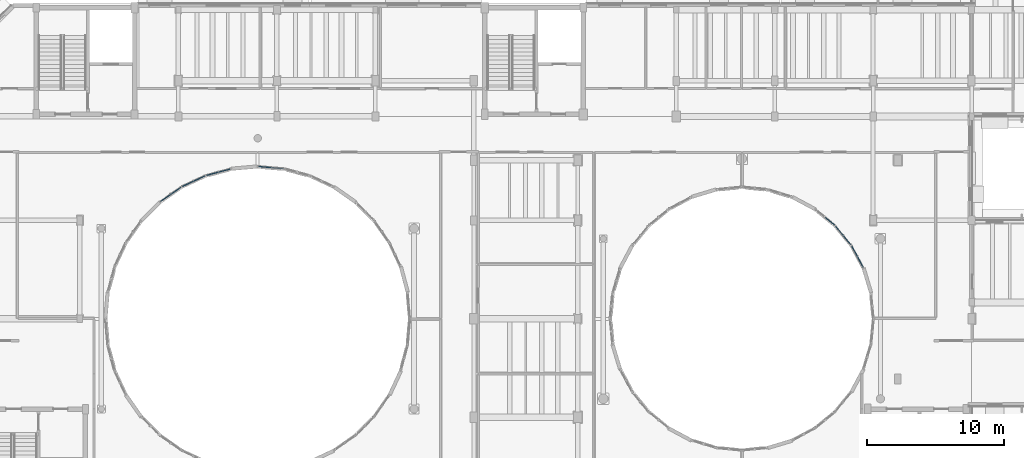
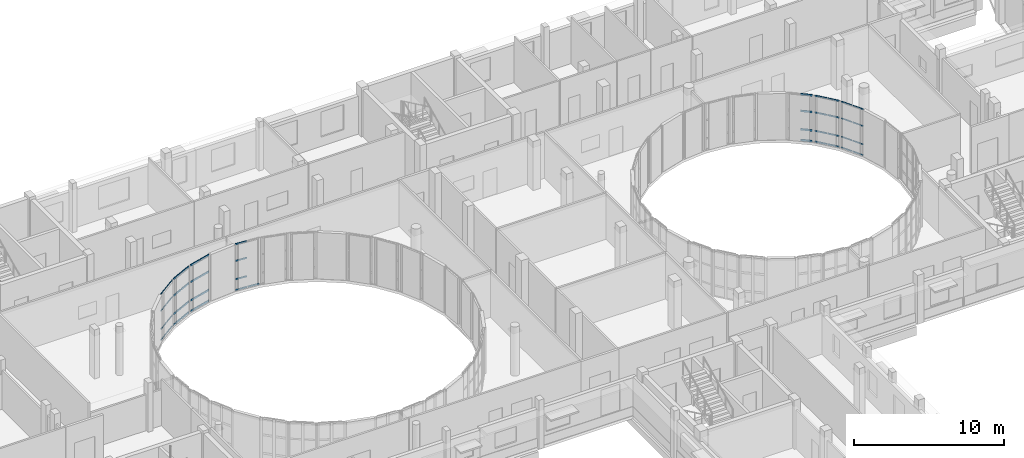
# One storey, part 58 of 105: 49 members, 7 elements without a shape of their own.
"""IFC4 building model written with IfcOpenShell, lengths in metres."""

from ifc_helpers import new_model, si_unit, direction, frame, origin, origin_2d, place, context, subcontext, project, spatial, hollow_rectangle, extrude, material, layer, layer_set, material_profile, profile_set, type_object, element, aggregate, save


model = new_model("IFC4")

# Units and contexts
model_context = context("Model", 3, precision=1e-05, world=origin(), true_north=direction((0.0, 1.0)))
body_context = subcontext(model_context, "Body", "Model", "MODEL_VIEW")
ifc_project = project(units=[si_unit("LENGTHUNIT", "METRE"), si_unit("AREAUNIT", "SQUARE_METRE"), si_unit("VOLUMEUNIT", "CUBIC_METRE"), si_unit("PLANEANGLEUNIT", "RADIAN"), si_unit("MASSUNIT", "GRAM", prefix="KILO")], contexts=[model_context])

# Site, building, storey
site_placement = place(None, origin())
site = spatial("IfcSite", under=ifc_project, at=site_placement, CompositionType="ELEMENT")
building_placement = place(site_placement, origin())
building = spatial("IfcBuilding", under=site, at=building_placement, Name="Kelanivale Promenade Academy", CompositionType="ELEMENT")
storey_placement = place(building_placement, frame((0.0, 0.0, 4.199951171875)))
storey = spatial("IfcBuildingStorey", under=building, at=storey_placement, Name="L01", CompositionType="ELEMENT", Elevation=4.199951171875)

# Curtain wall, members
ifc_material_1 = material(Name="Bronze anodised aluminium and solar-control low-E glass", Category="aluminium")
ifc_layer_1 = layer(ifc_material_1, 0.179931640625)
ifc_layer_set_1 = layer_set([ifc_layer_1], Name="Bronze anodised aluminium and solar-control low-E glass")
curtain_wall_type_1 = type_object("IfcCurtainWallType", Name="CW-05 Curtain Wall 1950mm Module", PredefinedType="USERDEFINED", material=ifc_layer_set_1)
curtain_wall_1_placement = place(storey_placement, origin())
curtain_wall_1 = element("IfcCurtainWall", 1, at=curtain_wall_1_placement, inside=storey, type_object=curtain_wall_type_1, Name="L01 courtyard curtain wall CW-05", ObjectType="UNITISED GLAZING", PredefinedType="USERDEFINED")
ifc_material_2 = material(Name="Bronze anodised aluminium EN AW-6063 T6", Category="aluminium")
ifc_material_profile_1 = material_profile(ifc_material_2, hollow_rectangle(XDim=0.050048828125, YDim=0.10009765625, WallThickness=0.0029296875, at=origin_2d()), Name="ALU 50x100x3.0")
ifc_profile_set_1 = profile_set([ifc_material_profile_1], Name="Bronze anodised aluminium EN AW-6063 T6")
member_type_1 = type_object("IfcMemberType", Name="CWT-01 ALU 50x100x3.0", PredefinedType="USERDEFINED", material=ifc_profile_set_1)
member_1_placement = place(storey_placement, frame((107.664794921875, 60.56689453125, 0.025146484375), z_axis=(-0.471286980873, 0.881979921347, 0.0), x_axis=(-0.881979921347, -0.471286980873, 0.0)))
member_1 = element("IfcMember", 2, at=member_1_placement, type_object=member_type_1, Name="CW-05 transom 1.1", ObjectType="TRANSOM", PredefinedType="USERDEFINED", context=body_context, shape_type="SweptSolid", body=[
    extrude(hollow_rectangle(XDim=0.050048828125, YDim=0.10009765625, WallThickness=0.0029296875, at=origin_2d()), origin(), (0.0, 0.0, 1.0), 0.833984375),
])
member_2_placement = place(storey_placement, frame((107.664794921875, 60.56689453125, 0.900146484375), z_axis=(-0.471286980873, 0.881979921347, 0.0), x_axis=(-0.881979921347, -0.471286980873, 0.0)))
member_2 = element("IfcMember", 3, at=member_2_placement, type_object=member_type_1, Name="CW-05 transom 1.2", ObjectType="TRANSOM", PredefinedType="USERDEFINED", context=body_context, shape_type="SweptSolid", body=[
    extrude(hollow_rectangle(XDim=0.050048828125, YDim=0.10009765625, WallThickness=0.0029296875, at=origin_2d()), origin(), (0.0, 0.0, 1.0), 0.833984375),
])
member_3_placement = place(storey_placement, frame((107.664794921875, 60.56689453125, 2.400146484375), z_axis=(-0.471286980873, 0.881979921347, 0.0), x_axis=(-0.881979921347, -0.471286980873, 0.0)))
member_3 = element("IfcMember", 4, at=member_3_placement, type_object=member_type_1, Name="CW-05 transom 1.3", ObjectType="TRANSOM", PredefinedType="USERDEFINED", context=body_context, shape_type="SweptSolid", body=[
    extrude(hollow_rectangle(XDim=0.050048828125, YDim=0.10009765625, WallThickness=0.0029296875, at=origin_2d()), origin(), (0.0, 0.0, 1.0), 0.833984375),
])
member_4_placement = place(storey_placement, frame((107.664794921875, 60.56689453125, 3.755126953125), z_axis=(-0.471286980873, 0.881979921347, 0.0), x_axis=(-0.881979921347, -0.471286980873, 0.0)))
member_4 = element("IfcMember", 5, at=member_4_placement, type_object=member_type_1, Name="CW-05 transom 1.4", ObjectType="TRANSOM", PredefinedType="USERDEFINED", context=body_context, shape_type="SweptSolid", body=[
    extrude(hollow_rectangle(XDim=0.050048828125, YDim=0.10009765625, WallThickness=0.0029296875, at=origin_2d()), origin(), (0.0, 0.0, 1.0), 0.833984375),
])
member_5_placement = place(storey_placement, frame((107.243408203125, 61.35546875, 0.025146484375), z_axis=(-0.471286980873, 0.881979921347, 0.0), x_axis=(-0.881979921347, -0.471286980873, 0.0)))
member_5 = element("IfcMember", 6, at=member_5_placement, type_object=member_type_1, Name="CW-05 transom 2.1", ObjectType="TRANSOM", PredefinedType="USERDEFINED", context=body_context, shape_type="SweptSolid", body=[
    extrude(hollow_rectangle(XDim=0.050048828125, YDim=0.10009765625, WallThickness=0.0029296875, at=origin_2d()), origin(), (0.0, 0.0, 1.0), 0.833984375),
])
member_6_placement = place(storey_placement, frame((107.243408203125, 61.35546875, 0.900146484375), z_axis=(-0.471286980873, 0.881979921347, 0.0), x_axis=(-0.881979921347, -0.471286980873, 0.0)))
member_6 = element("IfcMember", 7, at=member_6_placement, type_object=member_type_1, Name="CW-05 transom 2.2", ObjectType="TRANSOM", PredefinedType="USERDEFINED", context=body_context, shape_type="SweptSolid", body=[
    extrude(hollow_rectangle(XDim=0.050048828125, YDim=0.10009765625, WallThickness=0.0029296875, at=origin_2d()), origin(), (0.0, 0.0, 1.0), 0.833984375),
])
member_7_placement = place(storey_placement, frame((107.243408203125, 61.35546875, 2.400146484375), z_axis=(-0.471286980873, 0.881979921347, 0.0), x_axis=(-0.881979921347, -0.471286980873, 0.0)))
member_7 = element("IfcMember", 8, at=member_7_placement, type_object=member_type_1, Name="CW-05 transom 2.3", ObjectType="TRANSOM", PredefinedType="USERDEFINED", context=body_context, shape_type="SweptSolid", body=[
    extrude(hollow_rectangle(XDim=0.050048828125, YDim=0.10009765625, WallThickness=0.0029296875, at=origin_2d()), origin(), (0.0, 0.0, 1.0), 0.833984375),
])
member_8_placement = place(storey_placement, frame((107.243408203125, 61.35546875, 3.755126953125), z_axis=(-0.471286980873, 0.881979921347, 0.0), x_axis=(-0.881979921347, -0.471286980873, 0.0)))
member_8 = element("IfcMember", 9, at=member_8_placement, type_object=member_type_1, Name="CW-05 transom 2.4", ObjectType="TRANSOM", PredefinedType="USERDEFINED", context=body_context, shape_type="SweptSolid", body=[
    extrude(hollow_rectangle(XDim=0.050048828125, YDim=0.10009765625, WallThickness=0.0029296875, at=origin_2d()), origin(), (0.0, 0.0, 1.0), 0.833984375),
])
aggregate(curtain_wall_1, [member_1, member_2, member_3, member_4, member_5, member_6, member_7, member_8])

ifc_layer_2 = layer(ifc_material_1, 0.169921875)
ifc_layer_set_2 = layer_set([ifc_layer_2], Name="Bronze anodised aluminium and solar-control low-E glass")
curtain_wall_type_2 = type_object("IfcCurtainWallType", Name="CW-13 Curtain Wall 1350mm Module", PredefinedType="USERDEFINED", material=ifc_layer_set_2)
curtain_wall_2_placement = place(storey_placement, origin())
curtain_wall_2 = element("IfcCurtainWall", 10, at=curtain_wall_2_placement, inside=storey, type_object=curtain_wall_type_2, Name="L01 courtyard curtain wall CW-13", ObjectType="COURTYARD SCREEN GLAZING", PredefinedType="USERDEFINED")
member_9_placement = place(storey_placement, frame((57.770751953125, 66.406494140625, 0.025146484375), z_axis=(-0.819231920519, -0.573462344363, 0.0), x_axis=(0.573462344363, -0.819231920519, 0.0)))
member_9 = element("IfcMember", 11, at=member_9_placement, type_object=member_type_1, Name="CW-13 transom 1.1", ObjectType="TRANSOM", PredefinedType="USERDEFINED", context=body_context, shape_type="SweptSolid", body=[
    extrude(hollow_rectangle(XDim=0.050048828125, YDim=0.10009765625, WallThickness=0.0029296875, at=origin_2d()), origin(), (0.0, 0.0, 1.0), 0.861328125),
])
member_10_placement = place(storey_placement, frame((57.770751953125, 66.406494140625, 0.900146484375), z_axis=(-0.819231920519, -0.573462344363, 0.0), x_axis=(0.573462344363, -0.819231920519, 0.0)))
member_10 = element("IfcMember", 12, at=member_10_placement, type_object=member_type_1, Name="CW-13 transom 1.2", ObjectType="TRANSOM", PredefinedType="USERDEFINED", context=body_context, shape_type="SweptSolid", body=[
    extrude(hollow_rectangle(XDim=0.050048828125, YDim=0.10009765625, WallThickness=0.0029296875, at=origin_2d()), origin(), (0.0, 0.0, 1.0), 0.861328125),
])
member_11_placement = place(storey_placement, frame((57.770751953125, 66.406494140625, 2.400146484375), z_axis=(-0.819231920519, -0.573462344363, 0.0), x_axis=(0.573462344363, -0.819231920519, 0.0)))
member_11 = element("IfcMember", 13, at=member_11_placement, type_object=member_type_1, Name="CW-13 transom 1.3", ObjectType="TRANSOM", PredefinedType="USERDEFINED", context=body_context, shape_type="SweptSolid", body=[
    extrude(hollow_rectangle(XDim=0.050048828125, YDim=0.10009765625, WallThickness=0.0029296875, at=origin_2d()), origin(), (0.0, 0.0, 1.0), 0.861328125),
])
member_12_placement = place(storey_placement, frame((57.770751953125, 66.406494140625, 3.755126953125), z_axis=(-0.819231920519, -0.573462344363, 0.0), x_axis=(0.573462344363, -0.819231920519, 0.0)))
member_12 = element("IfcMember", 14, at=member_12_placement, type_object=member_type_1, Name="CW-13 transom 1.4", ObjectType="TRANSOM", PredefinedType="USERDEFINED", context=body_context, shape_type="SweptSolid", body=[
    extrude(hollow_rectangle(XDim=0.050048828125, YDim=0.10009765625, WallThickness=0.0029296875, at=origin_2d()), origin(), (0.0, 0.0, 1.0), 0.861328125),
])
member_13_placement = place(storey_placement, frame((57.015869140625, 65.87841796875, 0.025146484375), z_axis=(-0.819325110144, -0.573329193297, 0.0), x_axis=(0.573329193297, -0.819325110144, 0.0)))
member_13 = element("IfcMember", 15, at=member_13_placement, type_object=member_type_1, Name="CW-13 transom 2.1", ObjectType="TRANSOM", PredefinedType="USERDEFINED", context=body_context, shape_type="SweptSolid", body=[
    extrude(hollow_rectangle(XDim=0.050048828125, YDim=0.10009765625, WallThickness=0.0029296875, at=origin_2d()), origin(), (0.0, 0.0, 1.0), 0.861572265625),
])
member_14_placement = place(storey_placement, frame((57.015869140625, 65.87841796875, 0.900146484375), z_axis=(-0.819325110144, -0.573329193297, 0.0), x_axis=(0.573329193297, -0.819325110144, 0.0)))
member_14 = element("IfcMember", 16, at=member_14_placement, type_object=member_type_1, Name="CW-13 transom 2.2", ObjectType="TRANSOM", PredefinedType="USERDEFINED", context=body_context, shape_type="SweptSolid", body=[
    extrude(hollow_rectangle(XDim=0.050048828125, YDim=0.10009765625, WallThickness=0.0029296875, at=origin_2d()), origin(), (0.0, 0.0, 1.0), 0.861572265625),
])
member_15_placement = place(storey_placement, frame((57.015869140625, 65.87841796875, 2.400146484375), z_axis=(-0.819325110144, -0.573329193297, 0.0), x_axis=(0.573329193297, -0.819325110144, 0.0)))
member_15 = element("IfcMember", 17, at=member_15_placement, type_object=member_type_1, Name="CW-13 transom 2.3", ObjectType="TRANSOM", PredefinedType="USERDEFINED", context=body_context, shape_type="SweptSolid", body=[
    extrude(hollow_rectangle(XDim=0.050048828125, YDim=0.10009765625, WallThickness=0.0029296875, at=origin_2d()), origin(), (0.0, 0.0, 1.0), 0.861572265625),
])
member_16_placement = place(storey_placement, frame((57.015869140625, 65.87841796875, 3.755126953125), z_axis=(-0.819325110144, -0.573329193297, 0.0), x_axis=(0.573329193297, -0.819325110144, 0.0)))
member_16 = element("IfcMember", 18, at=member_16_placement, type_object=member_type_1, Name="CW-13 transom 2.4", ObjectType="TRANSOM", PredefinedType="USERDEFINED", context=body_context, shape_type="SweptSolid", body=[
    extrude(hollow_rectangle(XDim=0.050048828125, YDim=0.10009765625, WallThickness=0.0029296875, at=origin_2d()), origin(), (0.0, 0.0, 1.0), 0.861572265625),
])
aggregate(curtain_wall_2, [member_9, member_10, member_11, member_12, member_13, member_14, member_15, member_16])

ifc_layer_3 = layer(ifc_material_1, 0.159912109375)
ifc_layer_set_3 = layer_set([ifc_layer_3], Name="Bronze anodised aluminium and solar-control low-E glass")
curtain_wall_type_3 = type_object("IfcCurtainWallType", Name="CW-06 Curtain Wall 1200mm Module", PredefinedType="USERDEFINED", material=ifc_layer_set_3)
curtain_wall_3_placement = place(storey_placement, origin())
curtain_wall_3 = element("IfcCurtainWall", 19, at=curtain_wall_3_placement, inside=storey, type_object=curtain_wall_type_3, Name="L01 courtyard curtain wall CW-06", ObjectType="UNITISED GLAZING", PredefinedType="USERDEFINED")
ifc_material_profile_2 = material_profile(ifc_material_2, hollow_rectangle(XDim=0.050048828125, YDim=0.1201171875, WallThickness=0.0029296875, at=origin_2d()), Name="ALU 50x120x3.0")
ifc_profile_set_2 = profile_set([ifc_material_profile_2], Name="Bronze anodised aluminium EN AW-6063 T6")
member_type_2 = type_object("IfcMemberType", Name="CWT-02 ALU 50x120x3.0", PredefinedType="USERDEFINED", material=ifc_profile_set_2)
member_17_placement = place(storey_placement, frame((106.76904296875, 62.21337890625, 0.025146484375), z_axis=(-0.634169827677, 0.773193785324, 0.0), x_axis=(-0.773193785324, -0.634169827677, 0.0)))
member_17 = element("IfcMember", 20, at=member_17_placement, type_object=member_type_2, Name="CW-06 transom 1.1", ObjectType="TRANSOM", PredefinedType="USERDEFINED", context=body_context, shape_type="SweptSolid", body=[
    extrude(hollow_rectangle(XDim=0.050048828125, YDim=0.1201171875, WallThickness=0.0029296875, at=origin_2d()), origin(), (0.0, 0.0, 1.0), 0.841064453125),
])
member_18_placement = place(storey_placement, frame((106.76904296875, 62.21337890625, 0.900146484375), z_axis=(-0.634169827677, 0.773193785324, 0.0), x_axis=(-0.773193785324, -0.634169827677, 0.0)))
member_18 = element("IfcMember", 21, at=member_18_placement, type_object=member_type_2, Name="CW-06 transom 1.2", ObjectType="TRANSOM", PredefinedType="USERDEFINED", context=body_context, shape_type="SweptSolid", body=[
    extrude(hollow_rectangle(XDim=0.050048828125, YDim=0.1201171875, WallThickness=0.0029296875, at=origin_2d()), origin(), (0.0, 0.0, 1.0), 0.841064453125),
])
member_19_placement = place(storey_placement, frame((106.76904296875, 62.21337890625, 2.400146484375), z_axis=(-0.634169827677, 0.773193785324, 0.0), x_axis=(-0.773193785324, -0.634169827677, 0.0)))
member_19 = element("IfcMember", 22, at=member_19_placement, type_object=member_type_2, Name="CW-06 transom 1.3", ObjectType="TRANSOM", PredefinedType="USERDEFINED", context=body_context, shape_type="SweptSolid", body=[
    extrude(hollow_rectangle(XDim=0.050048828125, YDim=0.1201171875, WallThickness=0.0029296875, at=origin_2d()), origin(), (0.0, 0.0, 1.0), 0.841064453125),
])
member_20_placement = place(storey_placement, frame((106.76904296875, 62.21337890625, 3.755126953125), z_axis=(-0.634169827677, 0.773193785324, 0.0), x_axis=(-0.773193785324, -0.634169827677, 0.0)))
member_20 = element("IfcMember", 23, at=member_20_placement, type_object=member_type_2, Name="CW-06 transom 1.4", ObjectType="TRANSOM", PredefinedType="USERDEFINED", context=body_context, shape_type="SweptSolid", body=[
    extrude(hollow_rectangle(XDim=0.050048828125, YDim=0.1201171875, WallThickness=0.0029296875, at=origin_2d()), origin(), (0.0, 0.0, 1.0), 0.841064453125),
])
member_21_placement = place(storey_placement, frame((106.197509765625, 62.91015625, 0.025146484375), z_axis=(-0.634169827677, 0.773193785324, 0.0), x_axis=(-0.773193785324, -0.634169827677, 0.0)))
member_21 = element("IfcMember", 24, at=member_21_placement, type_object=member_type_2, Name="CW-06 transom 2.1", ObjectType="TRANSOM", PredefinedType="USERDEFINED", context=body_context, shape_type="SweptSolid", body=[
    extrude(hollow_rectangle(XDim=0.050048828125, YDim=0.1201171875, WallThickness=0.0029296875, at=origin_2d()), origin(), (0.0, 0.0, 1.0), 0.841064453125),
])
member_22_placement = place(storey_placement, frame((106.197509765625, 62.91015625, 0.900146484375), z_axis=(-0.634169827677, 0.773193785324, 0.0), x_axis=(-0.773193785324, -0.634169827677, 0.0)))
member_22 = element("IfcMember", 25, at=member_22_placement, type_object=member_type_2, Name="CW-06 transom 2.2", ObjectType="TRANSOM", PredefinedType="USERDEFINED", context=body_context, shape_type="SweptSolid", body=[
    extrude(hollow_rectangle(XDim=0.050048828125, YDim=0.1201171875, WallThickness=0.0029296875, at=origin_2d()), origin(), (0.0, 0.0, 1.0), 0.841064453125),
])
member_23_placement = place(storey_placement, frame((106.197509765625, 62.91015625, 2.400146484375), z_axis=(-0.634169827677, 0.773193785324, 0.0), x_axis=(-0.773193785324, -0.634169827677, 0.0)))
member_23 = element("IfcMember", 26, at=member_23_placement, type_object=member_type_2, Name="CW-06 transom 2.3", ObjectType="TRANSOM", PredefinedType="USERDEFINED", context=body_context, shape_type="SweptSolid", body=[
    extrude(hollow_rectangle(XDim=0.050048828125, YDim=0.1201171875, WallThickness=0.0029296875, at=origin_2d()), origin(), (0.0, 0.0, 1.0), 0.841064453125),
])
member_24_placement = place(storey_placement, frame((106.197509765625, 62.91015625, 3.755126953125), z_axis=(-0.634169827677, 0.773193785324, 0.0), x_axis=(-0.773193785324, -0.634169827677, 0.0)))
member_24 = element("IfcMember", 27, at=member_24_placement, type_object=member_type_2, Name="CW-06 transom 2.4", ObjectType="TRANSOM", PredefinedType="USERDEFINED", context=body_context, shape_type="SweptSolid", body=[
    extrude(hollow_rectangle(XDim=0.050048828125, YDim=0.1201171875, WallThickness=0.0029296875, at=origin_2d()), origin(), (0.0, 0.0, 1.0), 0.841064453125),
])
aggregate(curtain_wall_3, [member_17, member_18, member_19, member_20, member_21, member_22, member_23, member_24])

ifc_layer_4 = layer(ifc_material_1, 0.169921875)
ifc_layer_set_4 = layer_set([ifc_layer_4], Name="Bronze anodised aluminium and solar-control low-E glass")
curtain_wall_type_4 = type_object("IfcCurtainWallType", Name="CW-10 Curtain Wall 1800mm Module", PredefinedType="USERDEFINED", material=ifc_layer_set_4)
curtain_wall_4_placement = place(storey_placement, origin())
curtain_wall_4 = element("IfcCurtainWall", 28, at=curtain_wall_4_placement, inside=storey, type_object=curtain_wall_type_4, Name="L01 courtyard curtain wall CW-10", ObjectType="UNITISED GLAZING", PredefinedType="USERDEFINED")
member_25_placement = place(storey_placement, frame((65.26220703125, 67.77734375, 0.025146484375), z_axis=(-0.996205401814, 0.087033311997, 0.0), x_axis=(-0.087033311997, -0.996205401814, 0.0)))
member_25 = element("IfcMember", 29, at=member_25_placement, type_object=member_type_2, Name="CW-10 transom 1.1", ObjectType="TRANSOM", PredefinedType="USERDEFINED", context=body_context, shape_type="SweptSolid", body=[
    extrude(hollow_rectangle(XDim=0.050048828125, YDim=0.1201171875, WallThickness=0.0029296875, at=origin_2d()), origin(), (0.0, 0.0, 1.0), 0.861083984375),
])
member_26_placement = place(storey_placement, frame((64.3447265625, 67.857666015625, 0.025146484375), z_axis=(-0.996180782713, 0.087314650278, 0.0), x_axis=(-0.087314650278, -0.996180782713, 0.0)))
member_26 = element("IfcMember", 30, at=member_26_placement, type_object=member_type_2, Name="CW-10 transom 2.1", ObjectType="TRANSOM", PredefinedType="USERDEFINED", context=body_context, shape_type="SweptSolid", body=[
    extrude(hollow_rectangle(XDim=0.050048828125, YDim=0.1201171875, WallThickness=0.0029296875, at=origin_2d()), origin(), (0.0, 0.0, 1.0), 0.861083984375),
])
member_27_placement = place(storey_placement, frame((64.3447265625, 67.857666015625, 0.900146484375), z_axis=(-0.996180782713, 0.087314650278, 0.0), x_axis=(-0.087314650278, -0.996180782713, 0.0)))
member_27 = element("IfcMember", 31, at=member_27_placement, type_object=member_type_2, Name="CW-10 transom 2.2", ObjectType="TRANSOM", PredefinedType="USERDEFINED", context=body_context, shape_type="SweptSolid", body=[
    extrude(hollow_rectangle(XDim=0.050048828125, YDim=0.1201171875, WallThickness=0.0029296875, at=origin_2d()), origin(), (0.0, 0.0, 1.0), 0.861083984375),
])
member_28_placement = place(storey_placement, frame((64.3447265625, 67.857666015625, 2.400146484375), z_axis=(-0.996180782713, 0.087314650278, 0.0), x_axis=(-0.087314650278, -0.996180782713, 0.0)))
member_28 = element("IfcMember", 32, at=member_28_placement, type_object=member_type_2, Name="CW-10 transom 2.3", ObjectType="TRANSOM", PredefinedType="USERDEFINED", context=body_context, shape_type="SweptSolid", body=[
    extrude(hollow_rectangle(XDim=0.050048828125, YDim=0.1201171875, WallThickness=0.0029296875, at=origin_2d()), origin(), (0.0, 0.0, 1.0), 0.861083984375),
])
member_29_placement = place(storey_placement, frame((64.3447265625, 67.857666015625, 3.755126953125), z_axis=(-0.996180782713, 0.087314650278, 0.0), x_axis=(-0.087314650278, -0.996180782713, 0.0)))
member_29 = element("IfcMember", 33, at=member_29_placement, type_object=member_type_2, Name="CW-10 transom 2.4", ObjectType="TRANSOM", PredefinedType="USERDEFINED", context=body_context, shape_type="SweptSolid", body=[
    extrude(hollow_rectangle(XDim=0.050048828125, YDim=0.1201171875, WallThickness=0.0029296875, at=origin_2d()), origin(), (0.0, 0.0, 1.0), 0.861083984375),
])
aggregate(curtain_wall_4, [member_25, member_26, member_27, member_28, member_29])

ifc_layer_5 = layer(ifc_material_1, 0.169921875)
ifc_layer_set_5 = layer_set([ifc_layer_5], Name="Bronze anodised aluminium and solar-control low-E glass")
curtain_wall_type_5 = type_object("IfcCurtainWallType", Name="CW-07 Curtain Wall 1350mm Module", PredefinedType="USERDEFINED", material=ifc_layer_set_5)
curtain_wall_5_placement = place(storey_placement, origin())
curtain_wall_5 = element("IfcCurtainWall", 34, at=curtain_wall_5_placement, inside=storey, type_object=curtain_wall_type_5, Name="L01 courtyard curtain wall CW-07", ObjectType="UNITISED GLAZING", PredefinedType="USERDEFINED")
ifc_material_profile_3 = material_profile(ifc_material_2, hollow_rectangle(XDim=0.050048828125, YDim=0.14990234375, WallThickness=0.00341796875, at=origin_2d()), Name="ALU 50x150x3.5")
ifc_profile_set_3 = profile_set([ifc_material_profile_3], Name="Bronze anodised aluminium EN AW-6063 T6")
member_type_3 = type_object("IfcMemberType", Name="CWT-03 ALU 50x150x3.5", PredefinedType="USERDEFINED", material=ifc_profile_set_3)
member_30_placement = place(storey_placement, frame((105.556640625, 63.667236328125, 0.025146484375), z_axis=(-0.773166302346, 0.634203334047, 0.0), x_axis=(-0.634203334047, -0.773166302346, 0.0)))
member_30 = element("IfcMember", 35, at=member_30_placement, type_object=member_type_3, Name="CW-07 transom 1.1", ObjectType="TRANSOM", PredefinedType="USERDEFINED", context=body_context, shape_type="SweptSolid", body=[
    extrude(hollow_rectangle(XDim=0.050048828125, YDim=0.14990234375, WallThickness=0.00341796875, at=origin_2d()), origin(), (0.0, 0.0, 1.0), 0.82568359375),
])
member_31_placement = place(storey_placement, frame((105.556640625, 63.667236328125, 0.900146484375), z_axis=(-0.773166302346, 0.634203334047, 0.0), x_axis=(-0.634203334047, -0.773166302346, 0.0)))
member_31 = element("IfcMember", 36, at=member_31_placement, type_object=member_type_3, Name="CW-07 transom 1.2", ObjectType="TRANSOM", PredefinedType="USERDEFINED", context=body_context, shape_type="SweptSolid", body=[
    extrude(hollow_rectangle(XDim=0.050048828125, YDim=0.14990234375, WallThickness=0.00341796875, at=origin_2d()), origin(), (0.0, 0.0, 1.0), 0.82568359375),
])
member_32_placement = place(storey_placement, frame((105.556640625, 63.667236328125, 2.400146484375), z_axis=(-0.773166302346, 0.634203334047, 0.0), x_axis=(-0.634203334047, -0.773166302346, 0.0)))
member_32 = element("IfcMember", 37, at=member_32_placement, type_object=member_type_3, Name="CW-07 transom 1.3", ObjectType="TRANSOM", PredefinedType="USERDEFINED", context=body_context, shape_type="SweptSolid", body=[
    extrude(hollow_rectangle(XDim=0.050048828125, YDim=0.14990234375, WallThickness=0.00341796875, at=origin_2d()), origin(), (0.0, 0.0, 1.0), 0.82568359375),
])
member_33_placement = place(storey_placement, frame((105.556640625, 63.667236328125, 3.755126953125), z_axis=(-0.773166302346, 0.634203334047, 0.0), x_axis=(-0.634203334047, -0.773166302346, 0.0)))
member_33 = element("IfcMember", 38, at=member_33_placement, type_object=member_type_3, Name="CW-07 transom 1.4", ObjectType="TRANSOM", PredefinedType="USERDEFINED", context=body_context, shape_type="SweptSolid", body=[
    extrude(hollow_rectangle(XDim=0.050048828125, YDim=0.14990234375, WallThickness=0.00341796875, at=origin_2d()), origin(), (0.0, 0.0, 1.0), 0.82568359375),
])
aggregate(curtain_wall_5, [member_30, member_31, member_32, member_33])

ifc_layer_6 = layer(ifc_material_1, 0.179931640625)
ifc_layer_set_6 = layer_set([ifc_layer_6], Name="Bronze anodised aluminium and solar-control low-E glass")
curtain_wall_type_6 = type_object("IfcCurtainWallType", Name="CW-11 Curtain Wall 1950mm Module", PredefinedType="USERDEFINED", material=ifc_layer_set_6)
curtain_wall_6_placement = place(storey_placement, origin())
curtain_wall_6 = element("IfcCurtainWall", 39, at=curtain_wall_6_placement, inside=storey, type_object=curtain_wall_type_6, Name="L01 courtyard curtain wall CW-11", ObjectType="UNITISED GLAZING", PredefinedType="USERDEFINED")
member_34_placement = place(storey_placement, frame((61.377197265625, 67.747314453125, 0.025146484375), z_axis=(-0.965935288552, -0.258783728875, 0.0), x_axis=(0.258783728875, -0.965935288552, 0.0)))
member_34 = element("IfcMember", 40, at=member_34_placement, type_object=member_type_3, Name="CW-11 transom 1.1", ObjectType="TRANSOM", PredefinedType="USERDEFINED", context=body_context, shape_type="SweptSolid", body=[
    extrude(hollow_rectangle(XDim=0.050048828125, YDim=0.14990234375, WallThickness=0.00341796875, at=origin_2d()), origin(), (0.0, 0.0, 1.0), 0.853759765625),
])
member_35_placement = place(storey_placement, frame((61.377197265625, 67.747314453125, 0.900146484375), z_axis=(-0.965935288552, -0.258783728875, 0.0), x_axis=(0.258783728875, -0.965935288552, 0.0)))
member_35 = element("IfcMember", 41, at=member_35_placement, type_object=member_type_3, Name="CW-11 transom 1.2", ObjectType="TRANSOM", PredefinedType="USERDEFINED", context=body_context, shape_type="SweptSolid", body=[
    extrude(hollow_rectangle(XDim=0.050048828125, YDim=0.14990234375, WallThickness=0.00341796875, at=origin_2d()), origin(), (0.0, 0.0, 1.0), 0.853759765625),
])
member_36_placement = place(storey_placement, frame((61.377197265625, 67.747314453125, 2.400146484375), z_axis=(-0.965935288552, -0.258783728875, 0.0), x_axis=(0.258783728875, -0.965935288552, 0.0)))
member_36 = element("IfcMember", 42, at=member_36_placement, type_object=member_type_3, Name="CW-11 transom 1.3", ObjectType="TRANSOM", PredefinedType="USERDEFINED", context=body_context, shape_type="SweptSolid", body=[
    extrude(hollow_rectangle(XDim=0.050048828125, YDim=0.14990234375, WallThickness=0.00341796875, at=origin_2d()), origin(), (0.0, 0.0, 1.0), 0.853759765625),
])
member_37_placement = place(storey_placement, frame((61.377197265625, 67.747314453125, 3.755126953125), z_axis=(-0.965935288552, -0.258783728875, 0.0), x_axis=(0.258783728875, -0.965935288552, 0.0)))
member_37 = element("IfcMember", 43, at=member_37_placement, type_object=member_type_3, Name="CW-11 transom 1.4", ObjectType="TRANSOM", PredefinedType="USERDEFINED", context=body_context, shape_type="SweptSolid", body=[
    extrude(hollow_rectangle(XDim=0.050048828125, YDim=0.14990234375, WallThickness=0.00341796875, at=origin_2d()), origin(), (0.0, 0.0, 1.0), 0.853759765625),
])
member_38_placement = place(storey_placement, frame((60.489501953125, 67.509521484375, 0.025146484375), z_axis=(-0.966006735151, -0.258516900111, 0.0), x_axis=(0.258516900111, -0.966006735151, 0.0)))
member_38 = element("IfcMember", 44, at=member_38_placement, type_object=member_type_3, Name="CW-11 transom 2.1", ObjectType="TRANSOM", PredefinedType="USERDEFINED", context=body_context, shape_type="SweptSolid", body=[
    extrude(hollow_rectangle(XDim=0.050048828125, YDim=0.14990234375, WallThickness=0.00341796875, at=origin_2d()), origin(), (0.0, 0.0, 1.0), 0.853759765625),
])
member_39_placement = place(storey_placement, frame((60.489501953125, 67.509521484375, 0.900146484375), z_axis=(-0.966006735151, -0.258516900111, 0.0), x_axis=(0.258516900111, -0.966006735151, 0.0)))
member_39 = element("IfcMember", 45, at=member_39_placement, type_object=member_type_3, Name="CW-11 transom 2.2", ObjectType="TRANSOM", PredefinedType="USERDEFINED", context=body_context, shape_type="SweptSolid", body=[
    extrude(hollow_rectangle(XDim=0.050048828125, YDim=0.14990234375, WallThickness=0.00341796875, at=origin_2d()), origin(), (0.0, 0.0, 1.0), 0.853759765625),
])
member_40_placement = place(storey_placement, frame((60.489501953125, 67.509521484375, 2.400146484375), z_axis=(-0.966006735151, -0.258516900111, 0.0), x_axis=(0.258516900111, -0.966006735151, 0.0)))
member_40 = element("IfcMember", 46, at=member_40_placement, type_object=member_type_3, Name="CW-11 transom 2.3", ObjectType="TRANSOM", PredefinedType="USERDEFINED", context=body_context, shape_type="SweptSolid", body=[
    extrude(hollow_rectangle(XDim=0.050048828125, YDim=0.14990234375, WallThickness=0.00341796875, at=origin_2d()), origin(), (0.0, 0.0, 1.0), 0.853759765625),
])
member_41_placement = place(storey_placement, frame((60.489501953125, 67.509521484375, 3.755126953125), z_axis=(-0.966006735151, -0.258516900111, 0.0), x_axis=(0.258516900111, -0.966006735151, 0.0)))
member_41 = element("IfcMember", 47, at=member_41_placement, type_object=member_type_3, Name="CW-11 transom 2.4", ObjectType="TRANSOM", PredefinedType="USERDEFINED", context=body_context, shape_type="SweptSolid", body=[
    extrude(hollow_rectangle(XDim=0.050048828125, YDim=0.14990234375, WallThickness=0.00341796875, at=origin_2d()), origin(), (0.0, 0.0, 1.0), 0.853759765625),
])
aggregate(curtain_wall_6, [member_34, member_35, member_36, member_37, member_38, member_39, member_40, member_41])

ifc_layer_7 = layer(ifc_material_1, 0.159912109375)
ifc_layer_set_7 = layer_set([ifc_layer_7], Name="Bronze anodised aluminium and solar-control low-E glass")
curtain_wall_type_7 = type_object("IfcCurtainWallType", Name="CW-12 Curtain Wall 1200mm Module", PredefinedType="USERDEFINED", material=ifc_layer_set_7)
curtain_wall_7_placement = place(storey_placement, origin())
curtain_wall_7 = element("IfcCurtainWall", 48, at=curtain_wall_7_placement, inside=storey, type_object=curtain_wall_type_7, Name="L01 courtyard curtain wall CW-12", ObjectType="UNITISED GLAZING", PredefinedType="USERDEFINED")
ifc_material_profile_4 = material_profile(ifc_material_2, hollow_rectangle(XDim=0.06005859375, YDim=0.139892578125, WallThickness=0.00341796875, at=origin_2d()), Name="ALU 60x140x3.5")
ifc_profile_set_4 = profile_set([ifc_material_profile_4], Name="Bronze anodised aluminium EN AW-6063 T6")
member_type_4 = type_object("IfcMemberType", Name="CWT-04 ALU 60x140x3.5", PredefinedType="USERDEFINED", material=ifc_profile_set_4)
member_42_placement = place(storey_placement, frame((59.52001953125, 67.236572265625, 0.030029296875), z_axis=(-0.906175898549, -0.422900982369, 0.0), x_axis=(0.422900982369, -0.906175898549, 0.0)))
member_42 = element("IfcMember", 49, at=member_42_placement, type_object=member_type_4, Name="CW-12 transom 1.1", ObjectType="TRANSOM", PredefinedType="USERDEFINED", context=body_context, shape_type="SweptSolid", body=[
    extrude(hollow_rectangle(XDim=0.06005859375, YDim=0.139892578125, WallThickness=0.00341796875, at=origin_2d()), origin(), (0.0, 0.0, 1.0), 0.861328125),
])
member_43_placement = place(storey_placement, frame((59.52001953125, 67.236572265625, 0.900146484375), z_axis=(-0.906175898549, -0.422900982369, 0.0), x_axis=(0.422900982369, -0.906175898549, 0.0)))
member_43 = element("IfcMember", 50, at=member_43_placement, type_object=member_type_4, Name="CW-12 transom 1.2", ObjectType="TRANSOM", PredefinedType="USERDEFINED", context=body_context, shape_type="SweptSolid", body=[
    extrude(hollow_rectangle(XDim=0.06005859375, YDim=0.139892578125, WallThickness=0.00341796875, at=origin_2d()), origin(), (0.0, 0.0, 1.0), 0.861328125),
])
member_44_placement = place(storey_placement, frame((59.52001953125, 67.236572265625, 2.400146484375), z_axis=(-0.906175898549, -0.422900982369, 0.0), x_axis=(0.422900982369, -0.906175898549, 0.0)))
member_44 = element("IfcMember", 51, at=member_44_placement, type_object=member_type_4, Name="CW-12 transom 1.3", ObjectType="TRANSOM", PredefinedType="USERDEFINED", context=body_context, shape_type="SweptSolid", body=[
    extrude(hollow_rectangle(XDim=0.06005859375, YDim=0.139892578125, WallThickness=0.00341796875, at=origin_2d()), origin(), (0.0, 0.0, 1.0), 0.861328125),
])
member_45_placement = place(storey_placement, frame((59.52001953125, 67.236572265625, 3.75), z_axis=(-0.906175898549, -0.422900982369, 0.0), x_axis=(0.422900982369, -0.906175898549, 0.0)))
member_45 = element("IfcMember", 52, at=member_45_placement, type_object=member_type_4, Name="CW-12 transom 1.4", ObjectType="TRANSOM", PredefinedType="USERDEFINED", context=body_context, shape_type="SweptSolid", body=[
    extrude(hollow_rectangle(XDim=0.06005859375, YDim=0.139892578125, WallThickness=0.00341796875, at=origin_2d()), origin(), (0.0, 0.0, 1.0), 0.861328125),
])
member_46_placement = place(storey_placement, frame((58.6806640625, 66.8447265625, 0.030029296875), z_axis=(-0.906226571939, -0.422792384407, 0.0), x_axis=(0.422792384407, -0.906226571939, 0.0)))
member_46 = element("IfcMember", 53, at=member_46_placement, type_object=member_type_4, Name="CW-12 transom 2.1", ObjectType="TRANSOM", PredefinedType="USERDEFINED", context=body_context, shape_type="SweptSolid", body=[
    extrude(hollow_rectangle(XDim=0.06005859375, YDim=0.139892578125, WallThickness=0.00341796875, at=origin_2d()), origin(), (0.0, 0.0, 1.0), 0.861572265625),
])
member_47_placement = place(storey_placement, frame((58.6806640625, 66.8447265625, 0.900146484375), z_axis=(-0.906226571939, -0.422792384407, 0.0), x_axis=(0.422792384407, -0.906226571939, 0.0)))
member_47 = element("IfcMember", 54, at=member_47_placement, type_object=member_type_4, Name="CW-12 transom 2.2", ObjectType="TRANSOM", PredefinedType="USERDEFINED", context=body_context, shape_type="SweptSolid", body=[
    extrude(hollow_rectangle(XDim=0.06005859375, YDim=0.139892578125, WallThickness=0.00341796875, at=origin_2d()), origin(), (0.0, 0.0, 1.0), 0.861572265625),
])
member_48_placement = place(storey_placement, frame((58.6806640625, 66.8447265625, 2.400146484375), z_axis=(-0.906226571939, -0.422792384407, 0.0), x_axis=(0.422792384407, -0.906226571939, 0.0)))
member_48 = element("IfcMember", 55, at=member_48_placement, type_object=member_type_4, Name="CW-12 transom 2.3", ObjectType="TRANSOM", PredefinedType="USERDEFINED", context=body_context, shape_type="SweptSolid", body=[
    extrude(hollow_rectangle(XDim=0.06005859375, YDim=0.139892578125, WallThickness=0.00341796875, at=origin_2d()), origin(), (0.0, 0.0, 1.0), 0.861572265625),
])
member_49_placement = place(storey_placement, frame((58.6806640625, 66.8447265625, 3.75), z_axis=(-0.906226571939, -0.422792384407, 0.0), x_axis=(0.422792384407, -0.906226571939, 0.0)))
member_49 = element("IfcMember", 56, at=member_49_placement, type_object=member_type_4, Name="CW-12 transom 2.4", ObjectType="TRANSOM", PredefinedType="USERDEFINED", context=body_context, shape_type="SweptSolid", body=[
    extrude(hollow_rectangle(XDim=0.06005859375, YDim=0.139892578125, WallThickness=0.00341796875, at=origin_2d()), origin(), (0.0, 0.0, 1.0), 0.861572265625),
])
aggregate(curtain_wall_7, [member_42, member_43, member_44, member_45, member_46, member_47, member_48, member_49])

save(model, "model.ifc")
